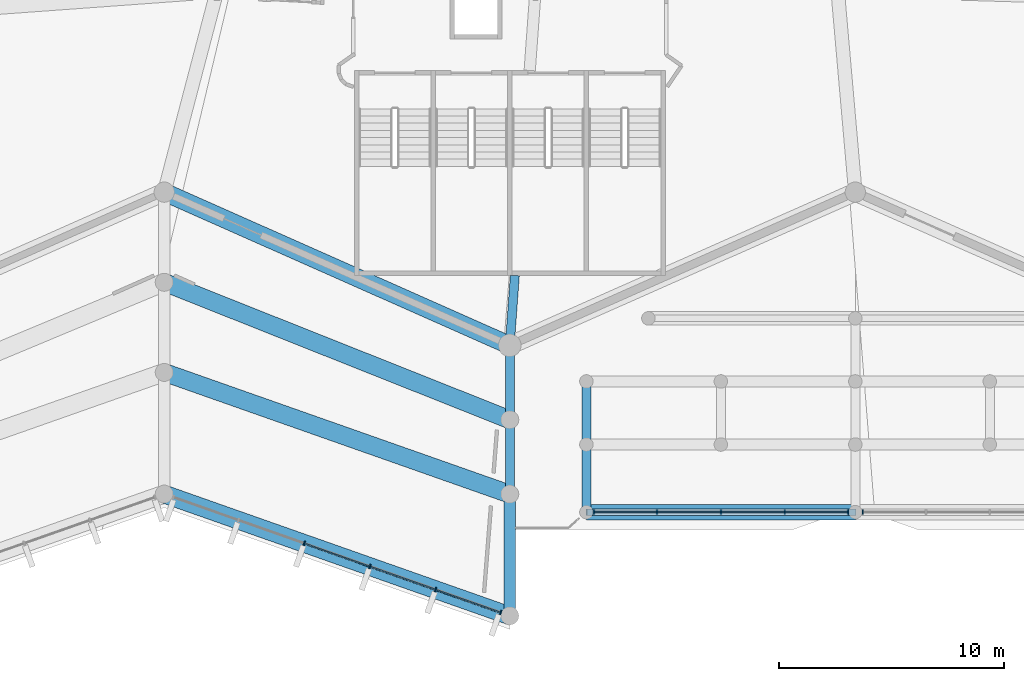
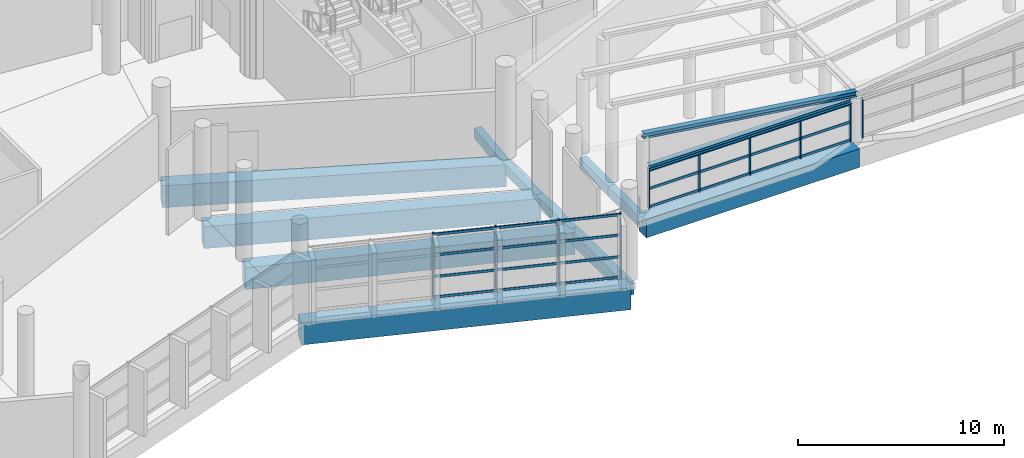
# One storey, part 21 of 271: 34 members, 13 beams, 3 elements without a shape of their own.
"""IFC4 building model written with IfcOpenShell, lengths in metres."""

import ifcopenshell
import ifcopenshell.guid

model = None  # the IFC model being written
_history = None  # IfcOwnerHistory: only IFC2X3 demands one
_inside = {}  # id of a spatial element -> (the spatial element, [elements in it])
_under = {}  # id of a project, library or spatial element -> (it, [spatial elements below it])
_declared = {}  # id of a project -> (the project, [libraries it declares])
_typed = {}  # id of a type object -> (the type object, [elements of that type])
_made_of = {}  # id of a material, layer set ... -> (it, [elements and type objects made of it])


def new_model(schema):
    """Start an empty IFC model of exactly this schema.

    Asked for "IFC4X3", IfcOpenShell would pick the latest addendum, in which some entities
    have other attributes; the version numbers below select the first issue.
    IFC2X3 requires an IfcOwnerHistory on every rooted entity: one is made here for all.
    """
    global model, _history
    if schema == "IFC4X3":
        model = ifcopenshell.file(schema_version=(4, 3, 0, 0))
    else:
        model = ifcopenshell.file(schema=schema)
    _inside.clear()
    _under.clear()
    _declared.clear()
    _typed.clear()
    _made_of.clear()
    _history = None
    if model.schema == "IFC2X3":
        org = make("IfcOrganization", Name="unknown")
        user = make(
            "IfcPersonAndOrganization",
            ThePerson=make("IfcPerson", FamilyName="unknown"),
            TheOrganization=org,
        )
        app = make(
            "IfcApplication",
            ApplicationDeveloper=org,
            Version="unknown",
            ApplicationFullName="unknown",
            ApplicationIdentifier="unknown",
        )
        _history = make(
            "IfcOwnerHistory",
            OwningUser=user,
            OwningApplication=app,
            ChangeAction="ADDED",
            CreationDate=0,
        )
    return model


def make(cls, **values):
    """One entity of the class cls with the attributes given. An attribute that is None is left unset."""
    return model.create_entity(
        cls, **{name: value for name, value in values.items() if value is not None}
    )


def rooted(cls, **values):
    """An entity with a GlobalId (a new one), such as an element, a storey or a relation."""
    return make(cls, GlobalId=ifcopenshell.guid.new(), OwnerHistory=_history, **values)


def si_unit(unit_type, name, prefix=None):
    """IfcSIUnit, for example si_unit("LENGTHUNIT", "METRE", prefix="MILLI")."""
    return make("IfcSIUnit", UnitType=unit_type, Prefix=prefix, Name=name)


def assignment(units):
    """IfcUnitAssignment: the units of a project."""
    return None if units is None else make("IfcUnitAssignment", Units=units)


def point(xyz):
    """IfcCartesianPoint."""
    return None if xyz is None else make("IfcCartesianPoint", Coordinates=xyz)


def direction(xyz):
    """IfcDirection."""
    return None if xyz is None else make("IfcDirection", DirectionRatios=xyz)


def frame(location, z_axis=None, x_axis=None):
    """IfcAxis2Placement3D, a coordinate frame: its origin and axes. An axis left out is left unset."""
    return make(
        "IfcAxis2Placement3D",
        Location=point(location),
        Axis=direction(z_axis),
        RefDirection=direction(x_axis),
    )


def frame_2d(location, x_axis=None):
    """IfcAxis2Placement2D, a coordinate frame in the plane: its origin and x axis."""
    return make(
        "IfcAxis2Placement2D", Location=point(location), RefDirection=direction(x_axis)
    )


def origin():
    """The frame at (0, 0, 0) with its axes left unset."""
    return frame((0.0, 0.0, 0.0))


def origin_2d():
    """The frame at (0, 0) in the plane with its x axis left unset."""
    return frame_2d((0.0, 0.0))


def place(relative_to, where):
    """IfcLocalPlacement: puts the frame where relative to a parent placement (None: the world)."""
    return make(
        "IfcLocalPlacement", PlacementRelTo=relative_to, RelativePlacement=where
    )


def context(
    kind, dimensions, precision=None, world=None, true_north=None, identifier=None
):
    """IfcGeometricRepresentationContext, for example the 3D "Model" context."""
    return make(
        "IfcGeometricRepresentationContext",
        ContextIdentifier=identifier,
        ContextType=kind,
        CoordinateSpaceDimension=dimensions,
        Precision=precision,
        WorldCoordinateSystem=world,
        TrueNorth=true_north,
    )


def subcontext(parent, identifier, kind, view, scale=None):
    """IfcGeometricRepresentationSubContext, for example "Body" below "Model"."""
    return make(
        "IfcGeometricRepresentationSubContext",
        ContextIdentifier=identifier,
        ContextType=kind,
        ParentContext=parent,
        TargetScale=scale,
        TargetView=view,
    )


def project(units=None, contexts=None):
    """IfcProject with its units and contexts."""
    return rooted(
        "IfcProject",
        Name="project",
        RepresentationContexts=contexts,
        UnitsInContext=assignment(units),
    )


def spatial(cls, under=None, at=None, **own):
    """A site, building, storey or space (cls), placed at a placement, below another one or the project."""
    s = rooted(cls, ObjectPlacement=at, **own)
    if under is not None:
        _under.setdefault(under.id(), (under, []))[1].append(s)
    return s


def profile(cls, at=None, kind="AREA", **sizes):
    """A parametric profile (cls). Its sizes go by their IFC names, for example OverallWidth=200.0."""
    return make(cls, ProfileType=kind, Position=at, **sizes)


def rectangle(**sizes):
    """IfcRectangleProfileDef."""
    return profile("IfcRectangleProfileDef", **sizes)


def i_section(**sizes):
    """IfcIShapeProfileDef."""
    return profile("IfcIShapeProfileDef", **sizes)


def extrude(swept, where, along, depth):
    """IfcExtrudedAreaSolid: the profile swept, set in the frame where, extruded along a direction by depth."""
    return make(
        "IfcExtrudedAreaSolid",
        SweptArea=swept,
        Position=where,
        ExtrudedDirection=direction(along),
        Depth=depth,
    )


def shape(context_of_items, identifier, shape_type, items):
    """IfcShapeRepresentation: the items that make up one representation, for example the "Body"."""
    return make(
        "IfcShapeRepresentation",
        ContextOfItems=context_of_items,
        RepresentationIdentifier=identifier,
        RepresentationType=shape_type,
        Items=items,
    )


def material(Name=None, Category=None):
    """IfcMaterial."""
    return make("IfcMaterial", Name=Name, Category=Category)


def layer(
    of_material, thickness, ventilated=None, Name=None, Category=None, Priority=None
):
    """IfcMaterialLayer: one layer of a wall or slab, of a material (None: an air gap)."""
    return make(
        "IfcMaterialLayer",
        Material=of_material,
        LayerThickness=thickness,
        IsVentilated=ventilated,
        Name=Name,
        Category=Category,
        Priority=Priority,
    )


def layer_set(layers, Name=None):
    """IfcMaterialLayerSet."""
    return make("IfcMaterialLayerSet", MaterialLayers=layers, LayerSetName=Name)


def material_profile(
    of_material, cross_section, Name=None, Category=None, Priority=None
):
    """IfcMaterialProfile: a cross section and its material."""
    return make(
        "IfcMaterialProfile",
        Name=Name,
        Material=of_material,
        Profile=cross_section,
        Priority=Priority,
        Category=Category,
    )


def profile_set(profiles, Name=None, composite=None):
    """IfcMaterialProfileSet."""
    return make(
        "IfcMaterialProfileSet",
        Name=Name,
        MaterialProfiles=profiles,
        CompositeProfile=composite,
    )


def made_of(thing, what):
    """Note that an element or type object is made of a material, layer set ...; save() writes the relation."""
    if what is not None:
        _made_of.setdefault(what.id(), (what, []))[1].append(thing)
    return thing


def type_object(cls, material=None, **own):
    """A type object (cls), such as IfcWallType, which elements share."""
    return made_of(rooted(cls, **own), material)


def element(
    cls,
    number,
    at=None,
    inside=None,
    cuts=None,
    type_object=None,
    material=None,
    context=None,
    identifier="Body",
    shape_type=None,
    held_by="IfcProductDefinitionShape",
    body=None,
    shapes=None,
    **own,
):
    """One element of the class cls, such as IfcWall. Its Tag is "e" and its number.

    at: its placement. inside: the storey or other place that contains it. cuts: it is an
    opening in that element (IfcRelVoidsElement). A single representation is given by context,
    identifier, shape_type and body (its items); several are given by shapes. held_by: the class
    of the entity that holds the representations. save() writes the other relations.
    """
    e = rooted(cls, Tag="e%d" % number, ObjectPlacement=at, **own)
    if body is not None:
        shapes = [shape(context, identifier, shape_type, body)]
    if shapes is not None:
        e.Representation = make(held_by, Representations=shapes)
    if inside is not None:
        _inside.setdefault(inside.id(), (inside, []))[1].append(e)
    if cuts is not None:
        rooted(
            "IfcRelVoidsElement", RelatingBuildingElement=cuts, RelatedOpeningElement=e
        )
    if type_object is not None:
        _typed.setdefault(type_object.id(), (type_object, []))[1].append(e)
    return made_of(e, material)


def aggregate(whole, parts):
    """IfcRelAggregates: a whole, such as a stair, and the parts it consists of."""
    return rooted("IfcRelAggregates", RelatingObject=whole, RelatedObjects=parts)


def save(model, path):
    """Write the relations noted so far, then the file.

    IfcRelAggregates (storeys below a building ...), IfcRelContainedInSpatialStructure (elements
    in a storey), IfcRelDefinesByType, IfcRelAssociatesMaterial and IfcRelDeclares: one each for
    every whole, place, type object, material and project.
    """
    for whole, parts in _under.values():
        aggregate(whole, parts)
    for where, things in _inside.values():
        rooted(
            "IfcRelContainedInSpatialStructure",
            RelatedElements=things,
            RelatingStructure=where,
        )
    for kind, things in _typed.values():
        rooted("IfcRelDefinesByType", RelatedObjects=things, RelatingType=kind)
    for what, things in _made_of.values():
        rooted("IfcRelAssociatesMaterial", RelatedObjects=things, RelatingMaterial=what)
    for by, libraries in _declared.values():
        rooted("IfcRelDeclares", RelatingContext=by, RelatedDefinitions=libraries)
    model.write(path)


model = new_model("IFC4")

# Units and contexts
model_context = context("Model", 3, precision=1e-05, world=origin(), true_north=direction((0.0, 1.0)))
body_context = subcontext(model_context, "Body", "Model", "MODEL_VIEW")
ifc_project = project(units=[si_unit("LENGTHUNIT", "METRE"), si_unit("AREAUNIT", "SQUARE_METRE"), si_unit("VOLUMEUNIT", "CUBIC_METRE"), si_unit("PLANEANGLEUNIT", "RADIAN"), si_unit("MASSUNIT", "GRAM", prefix="KILO")], contexts=[model_context])

# Site, building, storey
site_placement = place(None, origin())
site = spatial("IfcSite", under=ifc_project, at=site_placement, CompositionType="ELEMENT")
building_placement = place(site_placement, origin())
building = spatial("IfcBuilding", under=site, at=building_placement, Name="Meseta Stadium", CompositionType="ELEMENT")
storey_placement = place(building_placement, frame((0.0, 0.0, 6.5)))
storey = spatial("IfcBuildingStorey", under=building, at=storey_placement, Name="L01", CompositionType="ELEMENT", Elevation=6.5)

# Beams
ifc_material_1 = material(Name="Steel S355", Category="steel")
ifc_material_profile_1 = material_profile(ifc_material_1, i_section(OverallWidth=0.300048828125, OverallDepth=0.300048828125, WebThickness=0.010986328125, FlangeThickness=0.01904296875, FilletRadius=0.027099609375, at=origin_2d()), Name="HEB 300")
ifc_profile_set_1 = profile_set([ifc_material_profile_1], Name="Steel S355")
beam_type_1 = type_object("IfcBeamType", Name="Gate roof beam HEB 300", PredefinedType="BEAM", material=ifc_profile_set_1)
beam_1_placement = place(storey_placement, frame((-3.966796875, -112.800048828125, 2.44921875), z_axis=(1.0, 0.0, 0.0), x_axis=(0.0, 1.0, 0.0)))
element("IfcBeam", 1, at=beam_1_placement, inside=storey, type_object=beam_type_1, Name="Gate 7 head beam", PredefinedType="BEAM", context=body_context, shape_type="SweptSolid", body=[
    extrude(i_section(OverallWidth=0.300048828125, OverallDepth=0.300048828125, WebThickness=0.010986328125, FlangeThickness=0.01904296875, FilletRadius=0.027099609375, at=origin_2d()), origin(), (0.0, 0.0, 1.0), 11.33349609375),
])
ifc_material_2 = material(Name="Steel S355", Category="steel")
ifc_material_profile_2 = material_profile(ifc_material_2, i_section(OverallWidth=0.300048828125, OverallDepth=0.300048828125, WebThickness=0.010986328125, FlangeThickness=0.01904296875, FilletRadius=0.027099609375, at=origin_2d()), Name="HEB 300")
ifc_profile_set_2 = profile_set([ifc_material_profile_2], Name="Steel S355")
beam_type_2 = type_object("IfcBeamType", Name="Gate roof beam HEB 300 rafter", PredefinedType="BEAM", material=ifc_profile_set_2)
beam_2_placement = place(storey_placement, frame((-4.2666015625, -112.800048828125, 4.429931640625), z_axis=(0.990341913595, 0.0, -0.138646652238), x_axis=(0.0, 1.0, 0.0)))
element("IfcBeam", 2, at=beam_2_placement, inside=storey, type_object=beam_type_2, Name="Gate 7 roof rafter", PredefinedType="BEAM", context=body_context, shape_type="SweptSolid", body=[
    extrude(i_section(OverallWidth=0.300048828125, OverallDepth=0.300048828125, WebThickness=0.010986328125, FlangeThickness=0.01904296875, FilletRadius=0.027099609375, at=origin_2d()), origin(), (0.0, 0.0, 1.0), 12.0498046875),
])
ifc_material_3 = material(Name="Concrete C40/50", Category="concrete")
ifc_material_profile_3 = material_profile(ifc_material_3, rectangle(XDim=0.39990234375, YDim=0.60009765625, at=origin_2d()), Name="RC 400x600")
ifc_profile_set_3 = profile_set([ifc_material_profile_3], Name="Concrete C40/50")
beam_type_3 = type_object("IfcBeamType", Name="RC beam 400x600", PredefinedType="BEAM", material=ifc_profile_set_3)
beam_3_placement = place(storey_placement, frame((-7.44189453125, -102.300048828125, -0.64990234375), z_axis=(-0.072346739974, -0.997379541205, 0.0), x_axis=(0.997379541205, -0.072346739974, 0.0)))
element("IfcBeam", 3, at=beam_3_placement, inside=storey, type_object=beam_type_3, Name="L01 radial beam frame 46 line P to R", PredefinedType="BEAM", context=body_context, shape_type="SweptSolid", body=[
    extrude(rectangle(XDim=0.39990234375, YDim=0.60009765625, at=origin_2d()), origin(), (0.0, 0.0, 1.0), 3.10791015625),
])
for number, where, z_axis, x_axis, name in (
    (4, (-7.666748046875, -105.39990234375, -0.64990234375), (0.0, -1.0, 0.0), (1.0, 0.0, 0.0), "L01 radial beam frame 46 line R to M"),
    (5, (-7.666748046875, -108.699951171875, -0.64990234375), (0.0, -1.0, 0.0), (1.0, 0.0, 0.0), "L01 radial beam frame 46 line M to Q"),
):
    element("IfcBeam", number, at=place(storey_placement, frame(where, z_axis=z_axis, x_axis=x_axis)), inside=storey, type_object=beam_type_3, Name=name, PredefinedType="BEAM", context=body_context, shape_type="SweptSolid", body=[
        extrude(rectangle(XDim=0.39990234375, YDim=0.60009765625, at=origin_2d()), origin(), (0.0, 0.0, 1.0), 3.300048828125),
    ])
beam_4_placement = place(storey_placement, frame((-4.2666015625, -107.0, -0.64990234375), z_axis=(0.0, -1.0, 0.0), x_axis=(1.0, 0.0, 0.0)))
element("IfcBeam", 6, at=beam_4_placement, inside=storey, type_object=beam_type_3, Name="Gate 7 floor beam", PredefinedType="BEAM", context=body_context, shape_type="SweptSolid", body=[
    extrude(rectangle(XDim=0.39990234375, YDim=0.60009765625, at=origin_2d()), origin(), (0.0, 0.0, 1.0), 2.800048828125),
])
beam_5_placement = place(storey_placement, frame((-4.2666015625, -109.800048828125, -0.64990234375), z_axis=(0.0, -1.0, 0.0), x_axis=(1.0, 0.0, 0.0)))
element("IfcBeam", 7, at=beam_5_placement, inside=storey, type_object=beam_type_3, Name="Gate 7 floor beam", PredefinedType="BEAM", context=body_context, shape_type="SweptSolid", body=[
    extrude(rectangle(XDim=0.39990234375, YDim=0.60009765625, at=origin_2d()), origin(), (0.0, 0.0, 1.0), 3.0),
])
ifc_material_4 = material(Name="Concrete C40/50", Category="concrete")
ifc_material_profile_4 = material_profile(ifc_material_4, rectangle(XDim=0.5, YDim=0.75, at=origin_2d()), Name="RC 500x750")
ifc_profile_set_4 = profile_set([ifc_material_profile_4], Name="Concrete C40/50")
beam_type_4 = type_object("IfcBeamType", Name="RC beam 500x750", PredefinedType="BEAM", material=ifc_profile_set_4)
beam_6_placement = place(storey_placement, frame((-7.666748046875, -112.0, -0.72509765625), z_axis=(0.0, -1.0, 0.0), x_axis=(1.0, 0.0, 0.0)))
element("IfcBeam", 8, at=beam_6_placement, inside=storey, type_object=beam_type_4, Name="L01 radial beam frame 46 line Q to O", PredefinedType="BEAM", context=body_context, shape_type="SweptSolid", body=[
    extrude(rectangle(XDim=0.5, YDim=0.75, at=origin_2d()), origin(), (0.0, 0.0, 1.0), 5.39990234375),
])
ifc_material_5 = material(Name="Concrete C40/50", Category="concrete")
ifc_material_profile_5 = material_profile(ifc_material_5, rectangle(XDim=0.699951171875, YDim=1.10009765625, at=origin_2d()), Name="RC 700x1100")
ifc_profile_set_5 = profile_set([ifc_material_profile_5], Name="Concrete C40/50")
beam_type_5 = type_object("IfcBeamType", Name="RC beam 700x1100", PredefinedType="BEAM", material=ifc_profile_set_5)
beam_7_placement = place(storey_placement, frame((-4.2666015625, -112.800048828125, -0.89990234375), z_axis=(1.0, 0.0, 0.0), x_axis=(0.0, 1.0, 0.0)))
element("IfcBeam", 9, at=beam_7_placement, inside=storey, type_object=beam_type_5, Name="Gate 7 floor beam", PredefinedType="BEAM", context=body_context, shape_type="SweptSolid", body=[
    extrude(rectangle(XDim=0.699951171875, YDim=1.10009765625, at=origin_2d()), origin(), (0.0, 0.0, 1.0), 11.933349609375),
])
ifc_material_6 = material(Name="Concrete C40/50", Category="concrete")
ifc_material_profile_6 = material_profile(ifc_material_6, rectangle(XDim=0.800048828125, YDim=1.300048828125, at=origin_2d()), Name="RC 800x1300")
ifc_profile_set_6 = profile_set([ifc_material_profile_6], Name="Concrete C40/50")
beam_type_6 = type_object("IfcBeamType", Name="RC beam 800x1300", PredefinedType="BEAM", material=ifc_profile_set_6)
beam_8_placement = place(storey_placement, frame((-23.0, -98.60009765625, -1.0), z_axis=(0.914142564088, -0.405392861953, 0.0), x_axis=(0.405392861953, 0.914142564088, 0.0)))
element("IfcBeam", 10, at=beam_8_placement, inside=storey, type_object=beam_type_6, Name="L01 ring beam frame 45 line R", PredefinedType="BEAM", context=body_context, shape_type="SweptSolid", body=[
    extrude(rectangle(XDim=0.800048828125, YDim=1.300048828125, at=origin_2d()), origin(), (0.0, 0.0, 1.0), 16.7734375),
])
beam_9_placement = place(storey_placement, frame((-23.0, -102.60009765625, -1.0), z_axis=(0.929173963419, -0.369642727108, 0.0), x_axis=(0.369642727108, 0.929173963419, 0.0)))
element("IfcBeam", 11, at=beam_9_placement, inside=storey, type_object=beam_type_6, Name="L01 ring beam frame 45 line M", PredefinedType="BEAM", context=body_context, shape_type="SweptSolid", body=[
    extrude(rectangle(XDim=0.800048828125, YDim=1.300048828125, at=origin_2d()), origin(), (0.0, 0.0, 1.0), 16.501953125),
])
for number, where, z_axis, x_axis, name in (
    (12, (-23.0, -106.60009765625, -1.0), (0.943218573019, -0.332172731439, 0.0), (0.332172731439, 0.943218573019, 0.0), "L01 ring beam frame 45 line Q"),
    (13, (-23.0, -112.0, -1.0), (0.943218573019, -0.332172731439, 0.0), (0.332172731439, 0.943218573019, 0.0), "L01 ring beam frame 45 line O"),
):
    element("IfcBeam", number, at=place(storey_placement, frame(where, z_axis=z_axis, x_axis=x_axis)), inside=storey, type_object=beam_type_6, Name=name, PredefinedType="BEAM", context=body_context, shape_type="SweptSolid", body=[
        extrude(rectangle(XDim=0.800048828125, YDim=1.300048828125, at=origin_2d()), origin(), (0.0, 0.0, 1.0), 16.25634765625),
    ])

# Curtain wall, members
ifc_material_7 = material(Name="Aluminium", Category="aluminium")
ifc_layer_1 = layer(ifc_material_7, 0.199951171875)
ifc_layer_set_1 = layer_set([ifc_layer_1], Name="Ring shopfront curtain wall")
curtain_wall_type_1 = type_object("IfcCurtainWallType", Name="Ring shopfront curtain wall", PredefinedType="NOTDEFINED", material=ifc_layer_set_1)
curtain_wall_1_placement = place(storey_placement, origin())
curtain_wall_1 = element("IfcCurtainWall", 14, at=curtain_wall_1_placement, inside=storey, type_object=curtain_wall_type_1, Name="Ring glazing L01 F45", PredefinedType="NOTDEFINED")
ifc_material_8 = material(Name="Aluminium", Category="aluminium")
ifc_material_profile_7 = material_profile(ifc_material_8, rectangle(XDim=0.199951171875, YDim=0.06005859375, at=origin_2d()), Name="CW 200x60")
ifc_profile_set_7 = profile_set([ifc_material_profile_7], Name="Aluminium")
member_type_1 = type_object("IfcMemberType", Name="Ring CW mullion 60x200", PredefinedType="MULLION", material=ifc_profile_set_7)
member_1_placement = place(storey_placement, frame((-16.791259765625, -114.1865234375, 0.0), z_axis=(0.0, 0.0, 1.0), x_axis=(0.332174330154, 0.943218009999, 0.0)))
member_1 = element("IfcMember", 15, at=member_1_placement, type_object=member_type_1, Name="CWR1 mullion 3", PredefinedType="MULLION", context=body_context, shape_type="SweptSolid", body=[
    extrude(rectangle(XDim=0.199951171875, YDim=0.06005859375, at=origin_2d()), origin(), (0.0, 0.0, 1.0), 3.85009765625),
])
member_2_placement = place(storey_placement, frame((-13.87548828125, -115.21337890625, 0.0), z_axis=(0.0, 0.0, 1.0), x_axis=(0.332174330154, 0.943218009999, 0.0)))
member_2 = element("IfcMember", 16, at=member_2_placement, type_object=member_type_1, Name="CWR1 mullion 4", PredefinedType="MULLION", context=body_context, shape_type="SweptSolid", body=[
    extrude(rectangle(XDim=0.199951171875, YDim=0.06005859375, at=origin_2d()), origin(), (0.0, 0.0, 1.0), 3.85009765625),
])
member_3_placement = place(storey_placement, frame((-10.959716796875, -116.240234375, 0.0), z_axis=(0.0, 0.0, 1.0), x_axis=(0.332174330154, 0.943218009999, 0.0)))
member_3 = element("IfcMember", 17, at=member_3_placement, type_object=member_type_1, Name="CWR1 mullion 5", PredefinedType="MULLION", context=body_context, shape_type="SweptSolid", body=[
    extrude(rectangle(XDim=0.199951171875, YDim=0.06005859375, at=origin_2d()), origin(), (0.0, 0.0, 1.0), 3.85009765625),
])
member_4_placement = place(storey_placement, frame((-8.072265625, -117.257080078125, 0.0), z_axis=(0.0, 0.0, 1.0), x_axis=(0.332174330154, 0.943218009999, 0.0)))
member_4 = element("IfcMember", 18, at=member_4_placement, type_object=member_type_1, Name="CWR1 mullion 6", PredefinedType="MULLION", context=body_context, shape_type="SweptSolid", body=[
    extrude(rectangle(XDim=0.199951171875, YDim=0.06005859375, at=origin_2d()), origin(), (0.0, 0.0, 1.0), 3.85009765625),
])

ifc_material_9 = material(Name="Aluminium", Category="aluminium")
ifc_layer_2 = layer(ifc_material_9, 0.199951171875)
ifc_layer_set_2 = layer_set([ifc_layer_2], Name="Gate hall curtain wall")
curtain_wall_type_2 = type_object("IfcCurtainWallType", Name="Gate hall curtain wall", PredefinedType="NOTDEFINED", material=ifc_layer_set_2)
curtain_wall_2_placement = place(storey_placement, origin())
curtain_wall_2 = element("IfcCurtainWall", 19, at=curtain_wall_2_placement, inside=storey, type_object=curtain_wall_type_2, Name="Gate 7 hall glazing", PredefinedType="NOTDEFINED")
member_5_placement = place(storey_placement, frame((7.336669921875, -112.800048828125, 0.0), z_axis=(0.0, 0.0, 1.0), x_axis=(0.0, -1.0, 0.0)))
member_5 = element("IfcMember", 20, at=member_5_placement, type_object=member_type_1, Name="CWG1 mullion 1", PredefinedType="MULLION", context=body_context, shape_type="SweptSolid", body=[
    extrude(rectangle(XDim=0.199951171875, YDim=0.06005859375, at=origin_2d()), origin(), (0.0, 0.0, 1.0), 2.29931640625),
])
member_6_placement = place(storey_placement, frame((4.533447265625, -112.800048828125, 0.0), z_axis=(0.0, 0.0, 1.0), x_axis=(0.0, -1.0, 0.0)))
member_6 = element("IfcMember", 21, at=member_6_placement, type_object=member_type_1, Name="CWG1 mullion 2", PredefinedType="MULLION", context=body_context, shape_type="SweptSolid", body=[
    extrude(rectangle(XDim=0.199951171875, YDim=0.06005859375, at=origin_2d()), origin(), (0.0, 0.0, 1.0), 2.29931640625),
])
member_7_placement = place(storey_placement, frame((1.699951171875, -112.800048828125, 0.0), z_axis=(0.0, 0.0, 1.0), x_axis=(0.0, -1.0, 0.0)))
member_7 = element("IfcMember", 22, at=member_7_placement, type_object=member_type_1, Name="CWG1 mullion 3", PredefinedType="MULLION", context=body_context, shape_type="SweptSolid", body=[
    extrude(rectangle(XDim=0.199951171875, YDim=0.06005859375, at=origin_2d()), origin(), (0.0, 0.0, 1.0), 2.29931640625),
])
member_8_placement = place(storey_placement, frame((-1.13330078125, -112.800048828125, 0.0), z_axis=(0.0, 0.0, 1.0), x_axis=(0.0, -1.0, 0.0)))
member_8 = element("IfcMember", 23, at=member_8_placement, type_object=member_type_1, Name="CWG1 mullion 4", PredefinedType="MULLION", context=body_context, shape_type="SweptSolid", body=[
    extrude(rectangle(XDim=0.199951171875, YDim=0.06005859375, at=origin_2d()), origin(), (0.0, 0.0, 1.0), 2.29931640625),
])
member_9_placement = place(storey_placement, frame((-3.936767578125, -112.800048828125, 0.0), z_axis=(0.0, 0.0, 1.0), x_axis=(0.0, -1.0, 0.0)))
member_9 = element("IfcMember", 24, at=member_9_placement, type_object=member_type_1, Name="CWG1 mullion 5", PredefinedType="MULLION", context=body_context, shape_type="SweptSolid", body=[
    extrude(rectangle(XDim=0.199951171875, YDim=0.06005859375, at=origin_2d()), origin(), (0.0, 0.0, 1.0), 2.29931640625),
])

# Curtain wall, member
curtain_wall_3_placement = place(storey_placement, origin())
curtain_wall_3 = element("IfcCurtainWall", 25, at=curtain_wall_3_placement, inside=storey, type_object=curtain_wall_type_2, Name="Gate 7 hall glazing", PredefinedType="NOTDEFINED")
member_10_placement = place(storey_placement, frame((7.99658203125, -112.800048828125, 0.0), z_axis=(0.0, 0.0, 1.0), x_axis=(0.0, -1.0, 0.0)))
member_10 = element("IfcMember", 26, at=member_10_placement, type_object=member_type_1, Name="CWG1 mullion 5", PredefinedType="MULLION", context=body_context, shape_type="SweptSolid", body=[
    extrude(rectangle(XDim=0.199951171875, YDim=0.06005859375, at=origin_2d()), origin(), (0.0, 0.0, 1.0), 2.29931640625),
])
aggregate(curtain_wall_3, [member_10])

# Member
ifc_material_10 = material(Name="Aluminium", Category="aluminium")
ifc_material_profile_8 = material_profile(ifc_material_10, rectangle(XDim=0.06005859375, YDim=0.14990234375, at=origin_2d()), Name="CW 60x150")
ifc_profile_set_8 = profile_set([ifc_material_profile_8], Name="Aluminium")
member_type_2 = type_object("IfcMemberType", Name="Ring CW transom 60x150", PredefinedType="USERDEFINED", material=ifc_profile_set_8)
member_11_placement = place(storey_placement, frame((-16.762939453125, -114.196533203125, 0.074951171875), z_axis=(0.943225032885, -0.332154387808, 0.0), x_axis=(0.332154387808, 0.943225032885, 0.0)))
member_11 = element("IfcMember", 27, at=member_11_placement, type_object=member_type_2, Name="CWR1 transom 3.1", ObjectType="TRANSOM", PredefinedType="USERDEFINED", context=body_context, shape_type="SweptSolid", body=[
    extrude(rectangle(XDim=0.06005859375, YDim=0.14990234375, at=origin_2d()), origin(), (0.0, 0.0, 1.0), 3.03125),
])

member_12_placement = place(storey_placement, frame((-16.762939453125, -114.196533203125, 1.283447265625), z_axis=(0.943225032885, -0.332154387808, 0.0), x_axis=(0.332154387808, 0.943225032885, 0.0)))
member_12 = element("IfcMember", 28, at=member_12_placement, type_object=member_type_2, Name="CWR1 transom 3.2", ObjectType="TRANSOM", PredefinedType="USERDEFINED", context=body_context, shape_type="SweptSolid", body=[
    extrude(rectangle(XDim=0.06005859375, YDim=0.14990234375, at=origin_2d()), origin(), (0.0, 0.0, 1.0), 3.03125),
])

member_13_placement = place(storey_placement, frame((-16.762939453125, -114.196533203125, 2.566650390625), z_axis=(0.943225032885, -0.332154387808, 0.0), x_axis=(0.332154387808, 0.943225032885, 0.0)))
member_13 = element("IfcMember", 29, at=member_13_placement, type_object=member_type_2, Name="CWR1 transom 3.3", ObjectType="TRANSOM", PredefinedType="USERDEFINED", context=body_context, shape_type="SweptSolid", body=[
    extrude(rectangle(XDim=0.06005859375, YDim=0.14990234375, at=origin_2d()), origin(), (0.0, 0.0, 1.0), 3.03125),
])

member_14_placement = place(storey_placement, frame((-16.762939453125, -114.196533203125, 3.77490234375), z_axis=(0.943225032885, -0.332154387808, 0.0), x_axis=(0.332154387808, 0.943225032885, 0.0)))
member_14 = element("IfcMember", 30, at=member_14_placement, type_object=member_type_2, Name="CWR1 transom 3.4", ObjectType="TRANSOM", PredefinedType="USERDEFINED", context=body_context, shape_type="SweptSolid", body=[
    extrude(rectangle(XDim=0.06005859375, YDim=0.14990234375, at=origin_2d()), origin(), (0.0, 0.0, 1.0), 3.03125),
])

member_15_placement = place(storey_placement, frame((-13.84716796875, -115.223388671875, 0.074951171875), z_axis=(0.943225032885, -0.332154387808, 0.0), x_axis=(0.332154387808, 0.943225032885, 0.0)))
member_15 = element("IfcMember", 31, at=member_15_placement, type_object=member_type_2, Name="CWR1 transom 4.1", ObjectType="TRANSOM", PredefinedType="USERDEFINED", context=body_context, shape_type="SweptSolid", body=[
    extrude(rectangle(XDim=0.06005859375, YDim=0.14990234375, at=origin_2d()), origin(), (0.0, 0.0, 1.0), 3.03125),
])

member_16_placement = place(storey_placement, frame((-13.84716796875, -115.223388671875, 1.283447265625), z_axis=(0.943225032885, -0.332154387808, 0.0), x_axis=(0.332154387808, 0.943225032885, 0.0)))
member_16 = element("IfcMember", 32, at=member_16_placement, type_object=member_type_2, Name="CWR1 transom 4.2", ObjectType="TRANSOM", PredefinedType="USERDEFINED", context=body_context, shape_type="SweptSolid", body=[
    extrude(rectangle(XDim=0.06005859375, YDim=0.14990234375, at=origin_2d()), origin(), (0.0, 0.0, 1.0), 3.03125),
])

member_17_placement = place(storey_placement, frame((-13.84716796875, -115.223388671875, 2.566650390625), z_axis=(0.943225032885, -0.332154387808, 0.0), x_axis=(0.332154387808, 0.943225032885, 0.0)))
member_17 = element("IfcMember", 33, at=member_17_placement, type_object=member_type_2, Name="CWR1 transom 4.3", ObjectType="TRANSOM", PredefinedType="USERDEFINED", context=body_context, shape_type="SweptSolid", body=[
    extrude(rectangle(XDim=0.06005859375, YDim=0.14990234375, at=origin_2d()), origin(), (0.0, 0.0, 1.0), 3.03125),
])

member_18_placement = place(storey_placement, frame((-13.84716796875, -115.223388671875, 3.77490234375), z_axis=(0.943225032885, -0.332154387808, 0.0), x_axis=(0.332154387808, 0.943225032885, 0.0)))
member_18 = element("IfcMember", 34, at=member_18_placement, type_object=member_type_2, Name="CWR1 transom 4.4", ObjectType="TRANSOM", PredefinedType="USERDEFINED", context=body_context, shape_type="SweptSolid", body=[
    extrude(rectangle(XDim=0.06005859375, YDim=0.14990234375, at=origin_2d()), origin(), (0.0, 0.0, 1.0), 3.03125),
])

member_19_placement = place(storey_placement, frame((-10.931396484375, -116.250244140625, 0.074951171875), z_axis=(0.943228878245, -0.332143467863, 0.0), x_axis=(0.332143467863, 0.943228878245, 0.0)))
member_19 = element("IfcMember", 35, at=member_19_placement, type_object=member_type_2, Name="CWR1 transom 5.1", ObjectType="TRANSOM", PredefinedType="USERDEFINED", context=body_context, shape_type="SweptSolid", body=[
    extrude(rectangle(XDim=0.06005859375, YDim=0.14990234375, at=origin_2d()), origin(), (0.0, 0.0, 1.0), 3.001220703125),
])

member_20_placement = place(storey_placement, frame((-10.931396484375, -116.250244140625, 1.283447265625), z_axis=(0.943228878245, -0.332143467863, 0.0), x_axis=(0.332143467863, 0.943228878245, 0.0)))
member_20 = element("IfcMember", 36, at=member_20_placement, type_object=member_type_2, Name="CWR1 transom 5.2", ObjectType="TRANSOM", PredefinedType="USERDEFINED", context=body_context, shape_type="SweptSolid", body=[
    extrude(rectangle(XDim=0.06005859375, YDim=0.14990234375, at=origin_2d()), origin(), (0.0, 0.0, 1.0), 3.001220703125),
])

member_21_placement = place(storey_placement, frame((-10.931396484375, -116.250244140625, 2.566650390625), z_axis=(0.943228878245, -0.332143467863, 0.0), x_axis=(0.332143467863, 0.943228878245, 0.0)))
member_21 = element("IfcMember", 37, at=member_21_placement, type_object=member_type_2, Name="CWR1 transom 5.3", ObjectType="TRANSOM", PredefinedType="USERDEFINED", context=body_context, shape_type="SweptSolid", body=[
    extrude(rectangle(XDim=0.06005859375, YDim=0.14990234375, at=origin_2d()), origin(), (0.0, 0.0, 1.0), 3.001220703125),
])

member_22_placement = place(storey_placement, frame((-10.931396484375, -116.250244140625, 3.77490234375), z_axis=(0.943228878245, -0.332143467863, 0.0), x_axis=(0.332143467863, 0.943228878245, 0.0)))
member_22 = element("IfcMember", 38, at=member_22_placement, type_object=member_type_2, Name="CWR1 transom 5.4", ObjectType="TRANSOM", PredefinedType="USERDEFINED", context=body_context, shape_type="SweptSolid", body=[
    extrude(rectangle(XDim=0.06005859375, YDim=0.14990234375, at=origin_2d()), origin(), (0.0, 0.0, 1.0), 3.001220703125),
])

aggregate(curtain_wall_1, [member_1, member_2, member_3, member_4, member_11, member_12, member_13, member_14, member_15, member_16, member_17, member_18, member_19, member_20, member_21, member_22])

member_23_placement = place(storey_placement, frame((7.306640625, -112.800048828125, 0.074951171875), z_axis=(-1.0, 0.0, 0.0), x_axis=(0.0, -1.0, 0.0)))
member_23 = element("IfcMember", 39, at=member_23_placement, type_object=member_type_2, Name="CWG1 transom 1.1", ObjectType="TRANSOM", PredefinedType="USERDEFINED", context=body_context, shape_type="SweptSolid", body=[
    extrude(rectangle(XDim=0.06005859375, YDim=0.14990234375, at=origin_2d()), origin(), (0.0, 0.0, 1.0), 2.743408203125),
])

member_24_placement = place(storey_placement, frame((7.306640625, -112.800048828125, 1.149658203125), z_axis=(-1.0, 0.0, 0.0), x_axis=(0.0, -1.0, 0.0)))
member_24 = element("IfcMember", 40, at=member_24_placement, type_object=member_type_2, Name="CWG1 transom 1.2", ObjectType="TRANSOM", PredefinedType="USERDEFINED", context=body_context, shape_type="SweptSolid", body=[
    extrude(rectangle(XDim=0.06005859375, YDim=0.14990234375, at=origin_2d()), origin(), (0.0, 0.0, 1.0), 2.743408203125),
])

member_25_placement = place(storey_placement, frame((7.306640625, -112.800048828125, 2.224365234375), z_axis=(-1.0, 0.0, 0.0), x_axis=(0.0, -1.0, 0.0)))
member_25 = element("IfcMember", 41, at=member_25_placement, type_object=member_type_2, Name="CWG1 transom 1.3", ObjectType="TRANSOM", PredefinedType="USERDEFINED", context=body_context, shape_type="SweptSolid", body=[
    extrude(rectangle(XDim=0.06005859375, YDim=0.14990234375, at=origin_2d()), origin(), (0.0, 0.0, 1.0), 2.743408203125),
])

member_26_placement = place(storey_placement, frame((4.50341796875, -112.800048828125, 0.074951171875), z_axis=(-1.0, 0.0, 0.0), x_axis=(0.0, -1.0, 0.0)))
member_26 = element("IfcMember", 42, at=member_26_placement, type_object=member_type_2, Name="CWG1 transom 2.1", ObjectType="TRANSOM", PredefinedType="USERDEFINED", context=body_context, shape_type="SweptSolid", body=[
    extrude(rectangle(XDim=0.06005859375, YDim=0.14990234375, at=origin_2d()), origin(), (0.0, 0.0, 1.0), 2.7734375),
])

member_27_placement = place(storey_placement, frame((4.50341796875, -112.800048828125, 1.149658203125), z_axis=(-1.0, 0.0, 0.0), x_axis=(0.0, -1.0, 0.0)))
member_27 = element("IfcMember", 43, at=member_27_placement, type_object=member_type_2, Name="CWG1 transom 2.2", ObjectType="TRANSOM", PredefinedType="USERDEFINED", context=body_context, shape_type="SweptSolid", body=[
    extrude(rectangle(XDim=0.06005859375, YDim=0.14990234375, at=origin_2d()), origin(), (0.0, 0.0, 1.0), 2.7734375),
])

member_28_placement = place(storey_placement, frame((4.50341796875, -112.800048828125, 2.224365234375), z_axis=(-1.0, 0.0, 0.0), x_axis=(0.0, -1.0, 0.0)))
member_28 = element("IfcMember", 44, at=member_28_placement, type_object=member_type_2, Name="CWG1 transom 2.3", ObjectType="TRANSOM", PredefinedType="USERDEFINED", context=body_context, shape_type="SweptSolid", body=[
    extrude(rectangle(XDim=0.06005859375, YDim=0.14990234375, at=origin_2d()), origin(), (0.0, 0.0, 1.0), 2.7734375),
])

member_29_placement = place(storey_placement, frame((1.669921875, -112.800048828125, 0.074951171875), z_axis=(-1.0, 0.0, 0.0), x_axis=(0.0, -1.0, 0.0)))
member_29 = element("IfcMember", 45, at=member_29_placement, type_object=member_type_2, Name="CWG1 transom 3.1", ObjectType="TRANSOM", PredefinedType="USERDEFINED", context=body_context, shape_type="SweptSolid", body=[
    extrude(rectangle(XDim=0.06005859375, YDim=0.14990234375, at=origin_2d()), origin(), (0.0, 0.0, 1.0), 2.773193359375),
])

member_30_placement = place(storey_placement, frame((1.669921875, -112.800048828125, 1.149658203125), z_axis=(-1.0, 0.0, 0.0), x_axis=(0.0, -1.0, 0.0)))
member_30 = element("IfcMember", 46, at=member_30_placement, type_object=member_type_2, Name="CWG1 transom 3.2", ObjectType="TRANSOM", PredefinedType="USERDEFINED", context=body_context, shape_type="SweptSolid", body=[
    extrude(rectangle(XDim=0.06005859375, YDim=0.14990234375, at=origin_2d()), origin(), (0.0, 0.0, 1.0), 2.773193359375),
])

member_31_placement = place(storey_placement, frame((1.669921875, -112.800048828125, 2.224365234375), z_axis=(-1.0, 0.0, 0.0), x_axis=(0.0, -1.0, 0.0)))
member_31 = element("IfcMember", 47, at=member_31_placement, type_object=member_type_2, Name="CWG1 transom 3.3", ObjectType="TRANSOM", PredefinedType="USERDEFINED", context=body_context, shape_type="SweptSolid", body=[
    extrude(rectangle(XDim=0.06005859375, YDim=0.14990234375, at=origin_2d()), origin(), (0.0, 0.0, 1.0), 2.773193359375),
])

member_32_placement = place(storey_placement, frame((-1.163330078125, -112.800048828125, 0.074951171875), z_axis=(-1.0, 0.0, 0.0), x_axis=(0.0, -1.0, 0.0)))
member_32 = element("IfcMember", 48, at=member_32_placement, type_object=member_type_2, Name="CWG1 transom 4.1", ObjectType="TRANSOM", PredefinedType="USERDEFINED", context=body_context, shape_type="SweptSolid", body=[
    extrude(rectangle(XDim=0.06005859375, YDim=0.14990234375, at=origin_2d()), origin(), (0.0, 0.0, 1.0), 2.743408203125),
])

member_33_placement = place(storey_placement, frame((-1.163330078125, -112.800048828125, 1.149658203125), z_axis=(-1.0, 0.0, 0.0), x_axis=(0.0, -1.0, 0.0)))
member_33 = element("IfcMember", 49, at=member_33_placement, type_object=member_type_2, Name="CWG1 transom 4.2", ObjectType="TRANSOM", PredefinedType="USERDEFINED", context=body_context, shape_type="SweptSolid", body=[
    extrude(rectangle(XDim=0.06005859375, YDim=0.14990234375, at=origin_2d()), origin(), (0.0, 0.0, 1.0), 2.743408203125),
])

member_34_placement = place(storey_placement, frame((-1.163330078125, -112.800048828125, 2.224365234375), z_axis=(-1.0, 0.0, 0.0), x_axis=(0.0, -1.0, 0.0)))
member_34 = element("IfcMember", 50, at=member_34_placement, type_object=member_type_2, Name="CWG1 transom 4.3", ObjectType="TRANSOM", PredefinedType="USERDEFINED", context=body_context, shape_type="SweptSolid", body=[
    extrude(rectangle(XDim=0.06005859375, YDim=0.14990234375, at=origin_2d()), origin(), (0.0, 0.0, 1.0), 2.743408203125),
])

aggregate(curtain_wall_2, [member_5, member_6, member_7, member_8, member_9, member_23, member_24, member_25, member_26, member_27, member_28, member_29, member_30, member_31, member_32, member_33, member_34])

save(model, "model.ifc")
